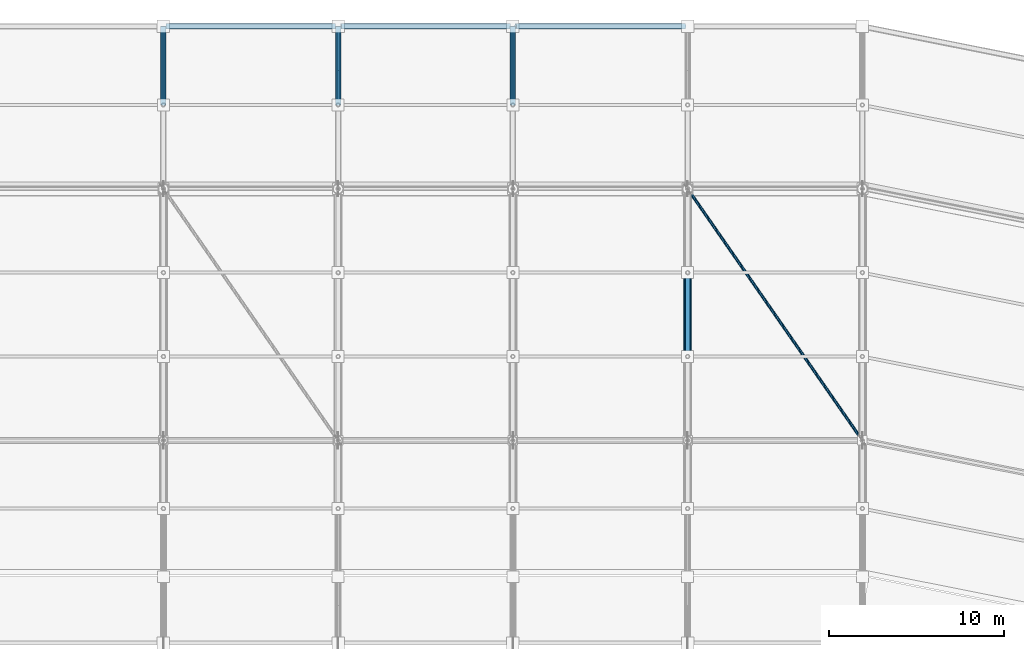
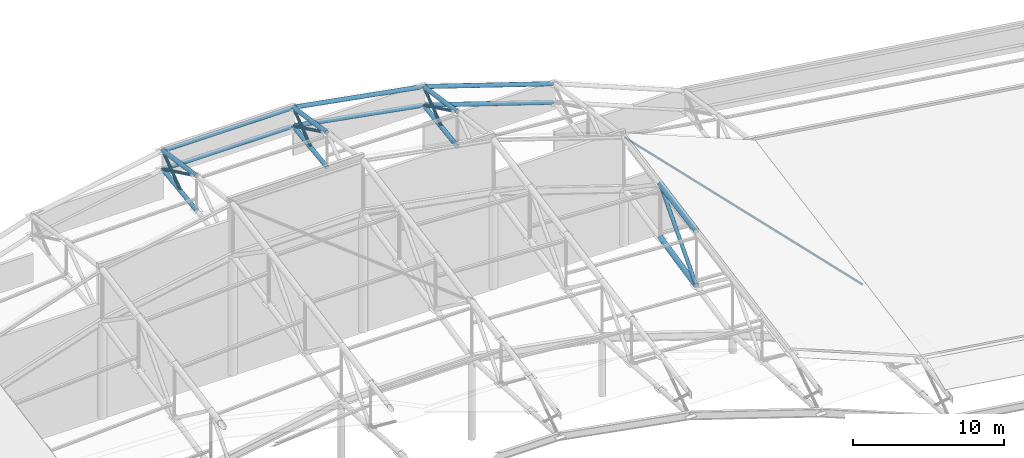
# One storey, part 96 of 146: 22 members.
"""IFC4 building model written with IfcOpenShell, lengths in metres."""

from ifc_helpers import new_model, si_unit, direction, frame, origin, origin_2d, place, context, subcontext, project, spatial, hollow_circle, extrude, material, material_profile, profile_set, type_object, element, save


model = new_model("IFC4")

# Units and contexts
model_context = context("Model", 3, precision=1e-05, world=origin(), true_north=direction((0.0, 1.0)))
body_context = subcontext(model_context, "Body", "Model", "MODEL_VIEW")
ifc_project = project(units=[si_unit("LENGTHUNIT", "METRE"), si_unit("AREAUNIT", "SQUARE_METRE"), si_unit("VOLUMEUNIT", "CUBIC_METRE"), si_unit("PLANEANGLEUNIT", "RADIAN"), si_unit("MASSUNIT", "GRAM", prefix="KILO")], contexts=[model_context])

# Site, building, storey
site_placement = place(None, origin())
site = spatial("IfcSite", under=ifc_project, at=site_placement, CompositionType="ELEMENT")
building_placement = place(site_placement, origin())
building = spatial("IfcBuilding", under=site, at=building_placement, Name="Candeia Ridge Stadium", CompositionType="ELEMENT")
storey_placement = place(building_placement, frame((0.0, 0.0, 31.800048828125)))
storey = spatial("IfcBuildingStorey", under=building, at=storey_placement, Name="RF", CompositionType="ELEMENT", Elevation=31.800048828125)

# Members
ifc_material = material(Name="Steel ASTM A572 Grade 50", Category="steel")
ifc_material_profile_1 = material_profile(ifc_material, hollow_circle(Radius=0.084228515625, WallThickness=0.008056640625, at=origin_2d()), Name="CHS168x8", Category="steel")
ifc_profile_set_1 = profile_set([ifc_material_profile_1], Name="Steel ASTM A572 Grade 50")
member_type_1 = type_object("IfcMemberType", Name="Roof Plan Wind Brace CHS168x8", PredefinedType="BRACE", material=ifc_profile_set_1)
member_1_placement = place(storey_placement, frame((140.9892578125, 132.615234375, 1.943115234375), z_axis=(-0.532371421064, 0.766632039772, 0.358965159354), x_axis=(-0.821375958989, -0.570387179024, 0.0)))
element("IfcMember", 1, at=member_1_placement, inside=storey, type_object=member_type_1, Name="Roof plane wind brace bay 01", PredefinedType="BRACE", context=body_context, shape_type="SweptSolid", body=[
    extrude(hollow_circle(Radius=0.084228515625, WallThickness=0.008056640625, at=origin_2d()), origin(), (0.0, 0.0, 1.0), 18.743408203125),
])
ifc_material_profile_2 = material_profile(ifc_material, hollow_circle(Radius=0.161865234375, WallThickness=0.012451171875, at=origin_2d()), Name="CHS323x12", Category="steel")
ifc_profile_set_2 = profile_set([ifc_material_profile_2], Name="Steel ASTM A572 Grade 50")
member_type_2 = type_object("IfcMemberType", Name="Roof Truss Eaves Chord CHS323x12", PredefinedType="CHORD", material=ifc_profile_set_2)
for number, where, z_axis, x_axis, name in (
    (2, (130.847900390625, 156.300048828125, 7.4091796875), (-0.950455896445, 0.0, 0.31085943594), (0.0, -1.0, 0.0), "Saddle roof outer eaves top ring chord bay 02"),
    (3, (130.847900390625, 156.300048828125, 5.9091796875), (-0.950455896445, 0.0, 0.31085943594), (0.0, -1.0, 0.0), "Saddle roof outer eaves bottom ring chord bay 02"),
):
    element("IfcMember", number, at=place(storey_placement, frame(where, z_axis=z_axis, x_axis=x_axis)), inside=storey, type_object=member_type_2, Name=name, PredefinedType="CHORD", context=body_context, shape_type="SweptSolid", body=[
        extrude(hollow_circle(Radius=0.161865234375, WallThickness=0.012451171875, at=origin_2d()), origin(), (0.0, 0.0, 1.0), 10.201171875),
    ])
member_2_placement = place(storey_placement, frame((121.0, 151.800048828125, 11.3076171875), z_axis=(0.0, 0.988855931513, -0.148875608179), x_axis=(-1.0, 0.0, 0.0)))
element("IfcMember", 4, at=member_2_placement, inside=storey, type_object=member_type_2, Name="Roof cantilever truss RT-03 top chord 8", PredefinedType="CHORD", context=body_context, shape_type="SweptSolid", body=[
    extrude(hollow_circle(Radius=0.161865234375, WallThickness=0.012451171875, at=origin_2d()), origin(), (0.0, 0.0, 1.0), 4.55078125),
])
member_3_placement = place(storey_placement, frame((121.0, 151.800048828125, 8.5009765625), z_axis=(0.0, 0.990367404155, 0.138464453153), x_axis=(-1.0, 0.0, 0.0)))
element("IfcMember", 5, at=member_3_placement, inside=storey, type_object=member_type_2, Name="Roof cantilever truss RT-03 bottom chord 8", PredefinedType="CHORD", context=body_context, shape_type="SweptSolid", body=[
    extrude(hollow_circle(Radius=0.161865234375, WallThickness=0.012451171875, at=origin_2d()), origin(), (0.0, 0.0, 1.0), 4.543701171875),
])
for number, where, z_axis, x_axis, name in (
    (6, (120.842529296875, 156.300048828125, 10.65869140625), (-0.983921062478, 0.0, 0.17860387121), (0.0, -1.0, 0.0), "Saddle roof outer eaves top ring chord bay 03"),
    (7, (120.842529296875, 156.300048828125, 9.15869140625), (-0.983921062478, 0.0, 0.17860387121), (0.0, -1.0, 0.0), "Saddle roof outer eaves bottom ring chord bay 03"),
):
    element("IfcMember", number, at=place(storey_placement, frame(where, z_axis=z_axis, x_axis=x_axis)), inside=storey, type_object=member_type_2, Name=name, PredefinedType="CHORD", context=body_context, shape_type="SweptSolid", body=[
        extrude(hollow_circle(Radius=0.161865234375, WallThickness=0.012451171875, at=origin_2d()), origin(), (0.0, 0.0, 1.0), 9.84326171875),
    ])
member_4_placement = place(storey_placement, frame((111.0, 151.800048828125, 13.12255859375), z_axis=(0.0, 0.988863828185, -0.148823147753), x_axis=(-1.0, 0.0, 0.0)))
element("IfcMember", 8, at=member_4_placement, inside=storey, type_object=member_type_2, Name="Roof cantilever truss RT-04 top chord 8", PredefinedType="CHORD", context=body_context, shape_type="SweptSolid", body=[
    extrude(hollow_circle(Radius=0.161865234375, WallThickness=0.012451171875, at=origin_2d()), origin(), (0.0, 0.0, 1.0), 4.55078125),
])
member_5_placement = place(storey_placement, frame((111.0, 151.800048828125, 10.316162109375), z_axis=(0.0, 0.990367404155, 0.138464453153), x_axis=(-1.0, 0.0, 0.0)))
element("IfcMember", 9, at=member_5_placement, inside=storey, type_object=member_type_2, Name="Roof cantilever truss RT-04 bottom chord 8", PredefinedType="CHORD", context=body_context, shape_type="SweptSolid", body=[
    extrude(hollow_circle(Radius=0.161865234375, WallThickness=0.012451171875, at=origin_2d()), origin(), (0.0, 0.0, 1.0), 4.543701171875),
])
for number, where, z_axis, x_axis, name in (
    (10, (110.840087890625, 156.300048828125, 12.4453125), (-1.0, 0.0, 0.0), (0.0, -1.0, 0.0), "Saddle roof outer eaves top ring chord bay 04"),
    (11, (110.840087890625, 156.300048828125, 10.9453125), (-1.0, 0.0, 0.0), (0.0, -1.0, 0.0), "Saddle roof outer eaves bottom ring chord bay 04"),
):
    element("IfcMember", number, at=place(storey_placement, frame(where, z_axis=z_axis, x_axis=x_axis)), inside=storey, type_object=member_type_2, Name=name, PredefinedType="CHORD", context=body_context, shape_type="SweptSolid", body=[
        extrude(hollow_circle(Radius=0.161865234375, WallThickness=0.012451171875, at=origin_2d()), origin(), (0.0, 0.0, 1.0), 9.68017578125),
    ])
member_6_placement = place(storey_placement, frame((101.0, 151.800048828125, 13.12255859375), z_axis=(0.0, 0.988863828185, -0.148823147753), x_axis=(-1.0, 0.0, 0.0)))
element("IfcMember", 12, at=member_6_placement, inside=storey, type_object=member_type_2, Name="Roof cantilever truss RT-05 top chord 8", PredefinedType="CHORD", context=body_context, shape_type="SweptSolid", body=[
    extrude(hollow_circle(Radius=0.161865234375, WallThickness=0.012451171875, at=origin_2d()), origin(), (0.0, 0.0, 1.0), 4.55078125),
])
member_7_placement = place(storey_placement, frame((101.0, 151.800048828125, 10.316162109375), z_axis=(0.0, 0.990367404155, 0.138464453153), x_axis=(-1.0, 0.0, 0.0)))
element("IfcMember", 13, at=member_7_placement, inside=storey, type_object=member_type_2, Name="Roof cantilever truss RT-05 bottom chord 8", PredefinedType="CHORD", context=body_context, shape_type="SweptSolid", body=[
    extrude(hollow_circle(Radius=0.161865234375, WallThickness=0.012451171875, at=origin_2d()), origin(), (0.0, 0.0, 1.0), 4.543701171875),
])
ifc_material_profile_3 = material_profile(ifc_material, hollow_circle(Radius=0.136474609375, WallThickness=0.010009765625, at=origin_2d()), Name="CHS273x10", Category="steel")
ifc_profile_set_3 = profile_set([ifc_material_profile_3], Name="Steel ASTM A572 Grade 50")
member_type_3 = type_object("IfcMemberType", Name="Roof Truss Heavy Web Brace CHS273x10", PredefinedType="BRACE", material=ifc_profile_set_3)
member_8_placement = place(storey_placement, frame((131.0, 137.39990234375, 2.435791015625), z_axis=(0.0, 0.667487252066, 0.744621224737), x_axis=(-1.0, 0.0, 0.0)))
element("IfcMember", 14, at=member_8_placement, inside=storey, type_object=member_type_3, Name="Roof cantilever truss RT-02 diagonal web 5", PredefinedType="BRACE", context=body_context, shape_type="SweptSolid", body=[
    extrude(hollow_circle(Radius=0.136474609375, WallThickness=0.010009765625, at=origin_2d()), origin(), (0.0, 0.0, 1.0), 7.191162109375),
])
ifc_material_profile_4 = material_profile(ifc_material, hollow_circle(Radius=0.109619140625, WallThickness=0.010009765625, at=origin_2d()), Name="CHS219x10", Category="steel")
ifc_profile_set_4 = profile_set([ifc_material_profile_4], Name="Steel ASTM A572 Grade 50")
member_type_4 = type_object("IfcMemberType", Name="Roof Truss Inner Web Brace CHS219x10", PredefinedType="BRACE", material=ifc_profile_set_4)
member_9_placement = place(storey_placement, frame((121.0, 151.800048828125, 11.3076171875), z_axis=(0.0, 0.900153692386, -0.435572416579), x_axis=(-1.0, 0.0, 0.0)))
element("IfcMember", 15, at=member_9_placement, inside=storey, type_object=member_type_4, Name="Roof cantilever truss RT-03 diagonal web 8", PredefinedType="BRACE", context=body_context, shape_type="SweptSolid", body=[
    extrude(hollow_circle(Radius=0.109619140625, WallThickness=0.010009765625, at=origin_2d()), origin(), (0.0, 0.0, 1.0), 4.999267578125),
])
member_10_placement = place(storey_placement, frame((121.0, 153.824951171875, 8.7841796875), z_axis=(0.0, 0.80161013398, 0.597847131883), x_axis=(-1.0, 0.0, 0.0)))
element("IfcMember", 16, at=member_10_placement, inside=storey, type_object=member_type_4, Name="Roof cantilever truss RT-03 vertical post 8", PredefinedType="BRACE", context=body_context, shape_type="SweptSolid", body=[
    extrude(hollow_circle(Radius=0.109619140625, WallThickness=0.010009765625, at=origin_2d()), origin(), (0.0, 0.0, 1.0), 3.087646484375),
])
member_11_placement = place(storey_placement, frame((111.0, 151.800048828125, 13.12255859375), z_axis=(0.0, 0.900172839827, -0.43553284427), x_axis=(-1.0, 0.0, 0.0)))
element("IfcMember", 17, at=member_11_placement, inside=storey, type_object=member_type_4, Name="Roof cantilever truss RT-04 diagonal web 8", PredefinedType="BRACE", context=body_context, shape_type="SweptSolid", body=[
    extrude(hollow_circle(Radius=0.109619140625, WallThickness=0.010009765625, at=origin_2d()), origin(), (0.0, 0.0, 1.0), 4.9990234375),
])
member_12_placement = place(storey_placement, frame((111.0, 153.824951171875, 10.599365234375), z_axis=(0.0, 0.80161013398, 0.597847131883), x_axis=(-1.0, 0.0, 0.0)))
element("IfcMember", 18, at=member_12_placement, inside=storey, type_object=member_type_4, Name="Roof cantilever truss RT-04 vertical post 8", PredefinedType="BRACE", context=body_context, shape_type="SweptSolid", body=[
    extrude(hollow_circle(Radius=0.109619140625, WallThickness=0.010009765625, at=origin_2d()), origin(), (0.0, 0.0, 1.0), 3.087646484375),
])
member_13_placement = place(storey_placement, frame((101.0, 151.800048828125, 13.12255859375), z_axis=(0.0, 0.900172839827, -0.43553284427), x_axis=(-1.0, 0.0, 0.0)))
element("IfcMember", 19, at=member_13_placement, inside=storey, type_object=member_type_4, Name="Roof cantilever truss RT-05 diagonal web 8", PredefinedType="BRACE", context=body_context, shape_type="SweptSolid", body=[
    extrude(hollow_circle(Radius=0.109619140625, WallThickness=0.010009765625, at=origin_2d()), origin(), (0.0, 0.0, 1.0), 4.9990234375),
])
member_14_placement = place(storey_placement, frame((101.0, 153.824951171875, 10.599365234375), z_axis=(0.0, 0.80161013398, 0.597847131883), x_axis=(-1.0, 0.0, 0.0)))
element("IfcMember", 20, at=member_14_placement, inside=storey, type_object=member_type_4, Name="Roof cantilever truss RT-05 vertical post 8", PredefinedType="BRACE", context=body_context, shape_type="SweptSolid", body=[
    extrude(hollow_circle(Radius=0.109619140625, WallThickness=0.010009765625, at=origin_2d()), origin(), (0.0, 0.0, 1.0), 3.087646484375),
])
ifc_material_profile_5 = material_profile(ifc_material, hollow_circle(Radius=0.228515625, WallThickness=0.02001953125, at=origin_2d()), Name="CHS457x20", Category="steel")
ifc_profile_set_5 = profile_set([ifc_material_profile_5], Name="Steel ASTM A572 Grade 50")
member_type_5 = type_object("IfcMemberType", Name="Roof Truss Main Chord CHS457x20", PredefinedType="CHORD", material=ifc_profile_set_5)
member_15_placement = place(storey_placement, frame((131.0, 137.39990234375, 6.90234375), z_axis=(0.0, 0.983308195319, 0.181947775524), x_axis=(-1.0, 0.0, 0.0)))
element("IfcMember", 21, at=member_15_placement, inside=storey, type_object=member_type_5, Name="Roof cantilever truss RT-02 top chord 5", PredefinedType="CHORD", context=body_context, shape_type="SweptSolid", body=[
    extrude(hollow_circle(Radius=0.228515625, WallThickness=0.02001953125, at=origin_2d()), origin(), (0.0, 0.0, 1.0), 4.881591796875),
])
ifc_material_profile_6 = material_profile(ifc_material, hollow_circle(Radius=0.202880859375, WallThickness=0.01611328125, at=origin_2d()), Name="CHS406x16", Category="steel")
ifc_profile_set_6 = profile_set([ifc_material_profile_6], Name="Steel ASTM A572 Grade 50")
member_type_6 = type_object("IfcMemberType", Name="Roof Truss Outer Chord CHS406x16", PredefinedType="CHORD", material=ifc_profile_set_6)
member_16_placement = place(storey_placement, frame((131.0, 137.39990234375, 2.435791015625), z_axis=(0.0, 0.97810786804, 0.208098530696), x_axis=(-1.0, 0.0, 0.0)))
element("IfcMember", 22, at=member_16_placement, inside=storey, type_object=member_type_6, Name="Roof cantilever truss RT-02 bottom chord 5", PredefinedType="CHORD", context=body_context, shape_type="SweptSolid", body=[
    extrude(hollow_circle(Radius=0.202880859375, WallThickness=0.01611328125, at=origin_2d()), origin(), (0.0, 0.0, 1.0), 4.907470703125),
])

save(model, "model.ifc")
